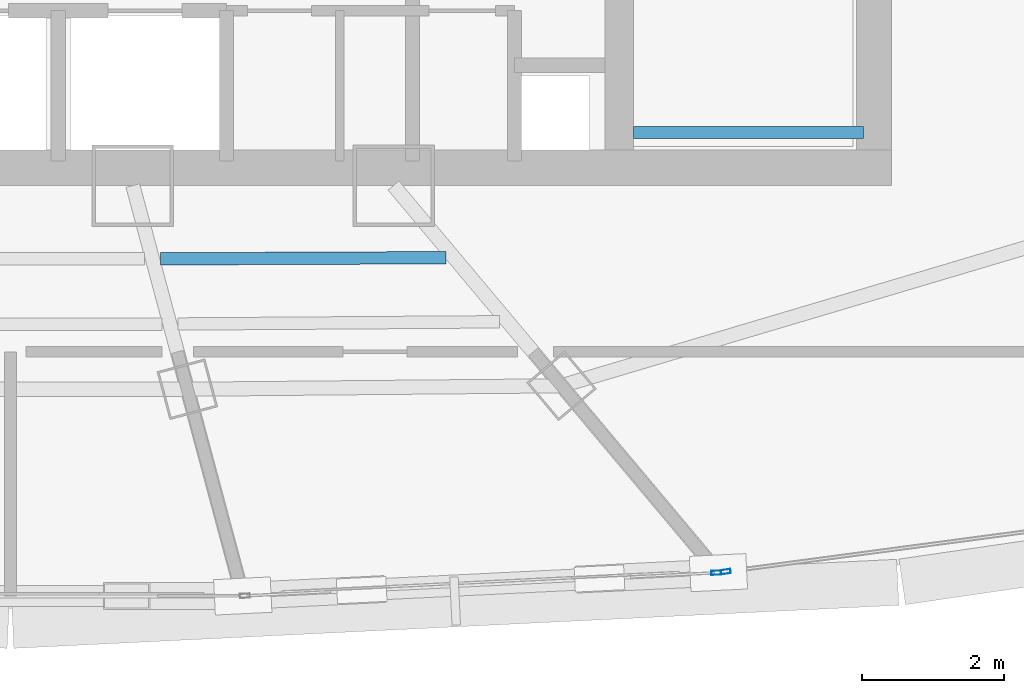
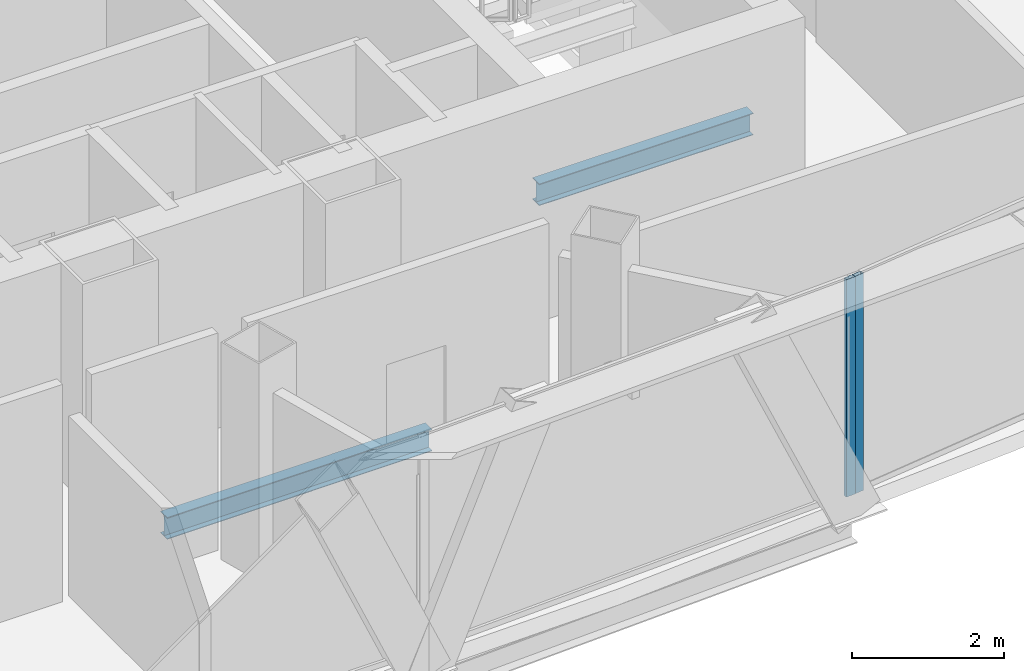
# One storey, part 11 of 28: 2 beams, 2 members, 2 elements without a shape of their own.
"""IFC4 building model written with IfcOpenShell, lengths in metres."""

from ifc_helpers import new_model, si_unit, direction, frame, origin, origin_2d, place, context, subcontext, project, spatial, hollow_rectangle, i_section, extrude, source, transform, mapped, material, layer, layer_set, material_profile, profile_set, type_object, element, aggregate, save


model = new_model("IFC4")

# Units and contexts
model_context = context("Model", 3, precision=1e-05, world=origin(), true_north=direction((0.0, 1.0)))
body_context = subcontext(model_context, "Body", "Model", "MODEL_VIEW")
ifc_project = project(units=[si_unit("LENGTHUNIT", "METRE"), si_unit("AREAUNIT", "SQUARE_METRE"), si_unit("VOLUMEUNIT", "CUBIC_METRE"), si_unit("PLANEANGLEUNIT", "RADIAN"), si_unit("MASSUNIT", "GRAM", prefix="KILO"), si_unit("THERMODYNAMICTEMPERATUREUNIT", "KELVIN"), si_unit("POWERUNIT", "WATT")], contexts=[model_context])

# Site, building, storey
site_placement = place(None, origin())
site = spatial("IfcSite", under=ifc_project, at=site_placement, CompositionType="ELEMENT")
building_placement = place(site_placement, origin())
building = spatial("IfcBuilding", under=site, at=building_placement, Name="Yunzhuo Pagoda Commons", CompositionType="ELEMENT")
storey_placement = place(building_placement, frame((0.0, 0.0, 336.760009765625)))
storey = spatial("IfcBuildingStorey", under=building, at=storey_placement, Name="L84", CompositionType="ELEMENT", Elevation=336.760009765625)

# Beams
ifc_material_1 = material(Name="Structural steel Q355B", Category="steel")
ifc_material_profile_1 = material_profile(ifc_material_1, i_section(OverallWidth=0.175048828125, OverallDepth=0.35009765625, WebThickness=0.007080078125, FlangeThickness=0.010986328125, at=origin_2d()), Name="Structural steel Q355B")
ifc_profile_set_1 = profile_set([ifc_material_profile_1], Name="Structural steel Q355B")
beam_type = type_object("IfcBeamType", Name="B-JS2 Joist HN 350x175x7x11", PredefinedType="JOIST", material=ifc_profile_set_1)
shared_shape_1 = source(origin(), body_context, "Body", "SweptSolid", [
    extrude(i_section(OverallWidth=0.175048828125, OverallDepth=0.35009765625, WebThickness=0.007080078125, FlangeThickness=0.010986328125, at=origin_2d()), origin(), (0.0, 0.0, 1.0), 3.25),
])
beam_1_placement = place(storey_placement, frame((56.800048828125, 28.0, 1.5), z_axis=(1.0, 0.0, 0.0), x_axis=(0.0, 1.0, 0.0)))
element("IfcBeam", 1, at=beam_1_placement, inside=storey, type_object=beam_type, Name="L84 ST2 landing support beam 90A", PredefinedType="JOIST", context=body_context, shape_type="MappedRepresentation", body=[
    mapped(shared_shape_1, transform((0.0, 0.0, 0.0), scale=1.0)),
])
shared_shape_2 = source(origin(), body_context, "Body", "SweptSolid", [
    extrude(i_section(OverallWidth=0.175048828125, OverallDepth=0.35009765625, WebThickness=0.007080078125, FlangeThickness=0.010986328125, at=origin_2d()), origin(), (0.0, 0.0, 1.0), 4.03076171875),
])
beam_2_placement = place(storey_placement, frame((50.120849609375, 26.214599609375, -0.43505859375), z_axis=(0.999991518197, 0.004118680996, 0.0), x_axis=(-0.004118680996, 0.999991518197, 0.0)))
element("IfcBeam", 2, at=beam_2_placement, inside=storey, type_object=beam_type, Name="L84 composite ring joist 1.3", PredefinedType="JOIST", context=body_context, shape_type="MappedRepresentation", body=[
    mapped(shared_shape_2, transform((0.0, 0.0, 0.0), scale=1.0)),
])

# Curtain wall, member
ifc_material_2 = material(Name="Anodized aluminium 6063-T6", Category="aluminium")
ifc_layer = layer(ifc_material_2, 0.139892578125)
ifc_layer_set = layer_set([ifc_layer], Name="Anodized aluminium 6063-T6")
curtain_wall_type = type_object("IfcCurtainWallType", Name="CW-HI High-Zone Ribbon Curtain Wall", PredefinedType="NOTDEFINED", material=ifc_layer_set)
curtain_wall_1_placement = place(storey_placement, origin())
curtain_wall_1 = element("IfcCurtainWall", 3, at=curtain_wall_1_placement, inside=storey, type_object=curtain_wall_type, Name="L84 curtain wall CW-L84-F1B4", PredefinedType="NOTDEFINED")
ifc_material_profile_2 = material_profile(ifc_material_2, hollow_rectangle(XDim=0.06005859375, YDim=0.139892578125, WallThickness=0.00341796875, at=origin_2d()), Name="Anodized aluminium 6063-T6")
ifc_profile_set_2 = profile_set([ifc_material_profile_2], Name="Anodized aluminium 6063-T6")
member_type = type_object("IfcMemberType", Name="CW-HI-M Mullion RHS 140x60x3.5", PredefinedType="MULLION", material=ifc_profile_set_2)
shared_shape_3 = source(origin(), body_context, "Body", "SweptSolid", [
    extrude(hollow_rectangle(XDim=0.06005859375, YDim=0.139892578125, WallThickness=0.00341796875, at=origin_2d()), origin(), (0.0, 0.0, 1.0), 3.489990234375),
])
member_1_placement = place(storey_placement, frame((57.970947265625, 21.780029296875, 0.0), z_axis=(0.0, 0.0, 1.0), x_axis=(-0.048905572213, 0.998803406585, 0.0)))
member_1 = element("IfcMember", 4, at=member_1_placement, type_object=member_type, Name="CW mullion 2", PredefinedType="MULLION", context=body_context, shape_type="MappedRepresentation", body=[
    mapped(shared_shape_3, transform((0.0, 0.0, 0.0), scale=1.0)),
])
aggregate(curtain_wall_1, [member_1])

curtain_wall_2_placement = place(storey_placement, origin())
curtain_wall_2 = element("IfcCurtainWall", 5, at=curtain_wall_2_placement, inside=storey, type_object=curtain_wall_type, Name="L84 curtain wall CW-L84-F1B5", PredefinedType="NOTDEFINED")
member_2_placement = place(storey_placement, frame((58.105224609375, 21.795166015625, 0.0), z_axis=(0.0, 0.0, 1.0), x_axis=(-0.132068741636, 0.991240559845, 0.0)))
member_2 = element("IfcMember", 6, at=member_2_placement, type_object=member_type, Name="CW mullion 1", PredefinedType="MULLION", context=body_context, shape_type="MappedRepresentation", body=[
    mapped(shared_shape_3, transform((0.0, 0.0, 0.0), scale=1.0)),
])
aggregate(curtain_wall_2, [member_2])

save(model, "model.ifc")
